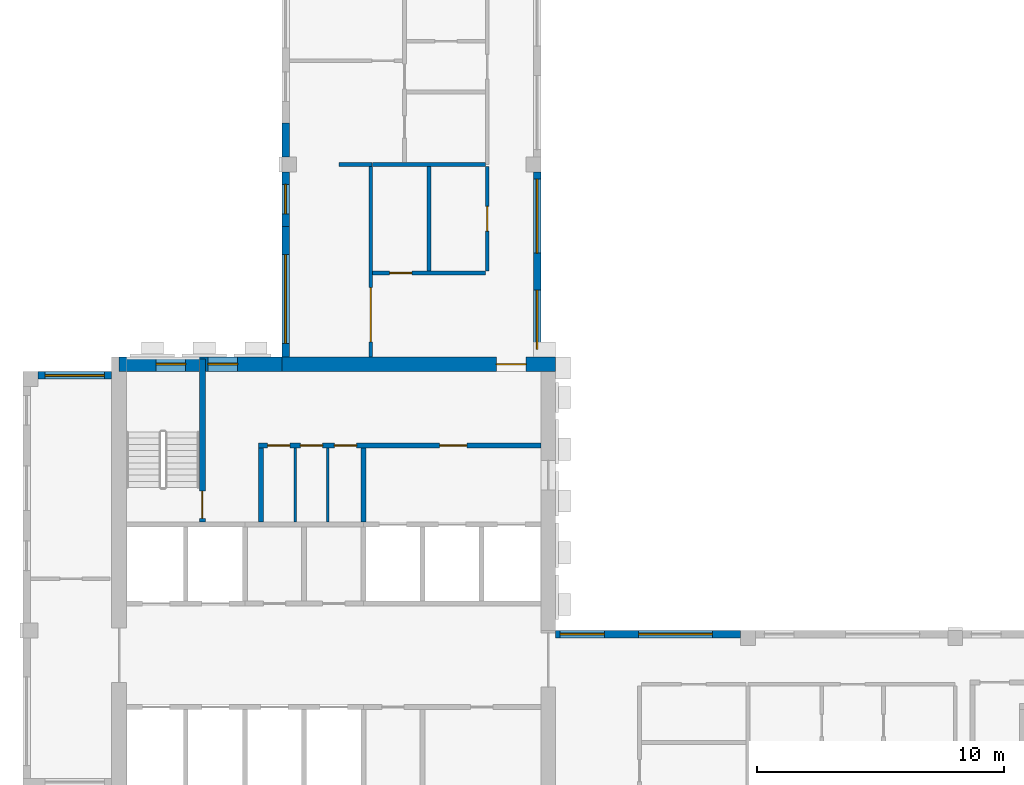
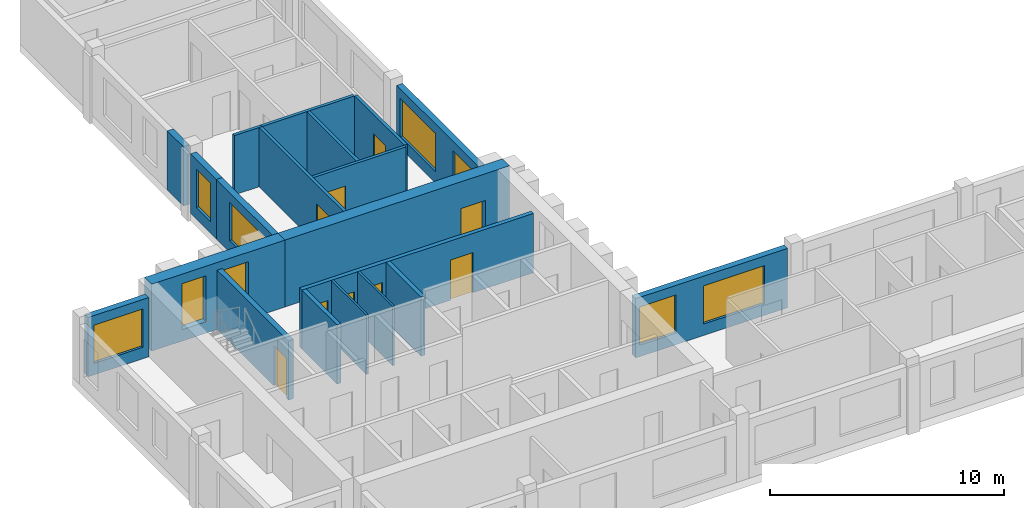
# One storey, part 3 of 10: 20 walls, 9 doors, 9 windows, 18 openings.
"""IFC4 building model written with IfcOpenShell, lengths in metres."""

import ifcopenshell
import ifcopenshell.guid

model = None  # the IFC model being written
_history = None  # IfcOwnerHistory: only IFC2X3 demands one
_inside = {}  # id of a spatial element -> (the spatial element, [elements in it])
_under = {}  # id of a project, library or spatial element -> (it, [spatial elements below it])
_declared = {}  # id of a project -> (the project, [libraries it declares])
_typed = {}  # id of a type object -> (the type object, [elements of that type])
_made_of = {}  # id of a material, layer set ... -> (it, [elements and type objects made of it])


def new_model(schema):
    """Start an empty IFC model of exactly this schema.

    Asked for "IFC4X3", IfcOpenShell would pick the latest addendum, in which some entities
    have other attributes; the version numbers below select the first issue.
    IFC2X3 requires an IfcOwnerHistory on every rooted entity: one is made here for all.
    """
    global model, _history
    if schema == "IFC4X3":
        model = ifcopenshell.file(schema_version=(4, 3, 0, 0))
    else:
        model = ifcopenshell.file(schema=schema)
    _inside.clear()
    _under.clear()
    _declared.clear()
    _typed.clear()
    _made_of.clear()
    _history = None
    if model.schema == "IFC2X3":
        org = make("IfcOrganization", Name="unknown")
        user = make(
            "IfcPersonAndOrganization",
            ThePerson=make("IfcPerson", FamilyName="unknown"),
            TheOrganization=org,
        )
        app = make(
            "IfcApplication",
            ApplicationDeveloper=org,
            Version="unknown",
            ApplicationFullName="unknown",
            ApplicationIdentifier="unknown",
        )
        _history = make(
            "IfcOwnerHistory",
            OwningUser=user,
            OwningApplication=app,
            ChangeAction="ADDED",
            CreationDate=0,
        )
    return model


def make(cls, **values):
    """One entity of the class cls with the attributes given. An attribute that is None is left unset."""
    return model.create_entity(
        cls, **{name: value for name, value in values.items() if value is not None}
    )


def rooted(cls, **values):
    """An entity with a GlobalId (a new one), such as an element, a storey or a relation."""
    return make(cls, GlobalId=ifcopenshell.guid.new(), OwnerHistory=_history, **values)


def si_unit(unit_type, name, prefix=None):
    """IfcSIUnit, for example si_unit("LENGTHUNIT", "METRE", prefix="MILLI")."""
    return make("IfcSIUnit", UnitType=unit_type, Prefix=prefix, Name=name)


def assignment(units):
    """IfcUnitAssignment: the units of a project."""
    return None if units is None else make("IfcUnitAssignment", Units=units)


def point(xyz):
    """IfcCartesianPoint."""
    return None if xyz is None else make("IfcCartesianPoint", Coordinates=xyz)


def direction(xyz):
    """IfcDirection."""
    return None if xyz is None else make("IfcDirection", DirectionRatios=xyz)


def frame(location, z_axis=None, x_axis=None):
    """IfcAxis2Placement3D, a coordinate frame: its origin and axes. An axis left out is left unset."""
    return make(
        "IfcAxis2Placement3D",
        Location=point(location),
        Axis=direction(z_axis),
        RefDirection=direction(x_axis),
    )


def frame_2d(location, x_axis=None):
    """IfcAxis2Placement2D, a coordinate frame in the plane: its origin and x axis."""
    return make(
        "IfcAxis2Placement2D", Location=point(location), RefDirection=direction(x_axis)
    )


def origin():
    """The frame at (0, 0, 0) with its axes left unset."""
    return frame((0.0, 0.0, 0.0))


def place(relative_to, where):
    """IfcLocalPlacement: puts the frame where relative to a parent placement (None: the world)."""
    return make(
        "IfcLocalPlacement", PlacementRelTo=relative_to, RelativePlacement=where
    )


def context(
    kind, dimensions, precision=None, world=None, true_north=None, identifier=None
):
    """IfcGeometricRepresentationContext, for example the 3D "Model" context."""
    return make(
        "IfcGeometricRepresentationContext",
        ContextIdentifier=identifier,
        ContextType=kind,
        CoordinateSpaceDimension=dimensions,
        Precision=precision,
        WorldCoordinateSystem=world,
        TrueNorth=true_north,
    )


def subcontext(parent, identifier, kind, view, scale=None):
    """IfcGeometricRepresentationSubContext, for example "Body" below "Model"."""
    return make(
        "IfcGeometricRepresentationSubContext",
        ContextIdentifier=identifier,
        ContextType=kind,
        ParentContext=parent,
        TargetScale=scale,
        TargetView=view,
    )


def project(units=None, contexts=None):
    """IfcProject with its units and contexts."""
    return rooted(
        "IfcProject",
        Name="project",
        RepresentationContexts=contexts,
        UnitsInContext=assignment(units),
    )


def spatial(cls, under=None, at=None, **own):
    """A site, building, storey or space (cls), placed at a placement, below another one or the project."""
    s = rooted(cls, ObjectPlacement=at, **own)
    if under is not None:
        _under.setdefault(under.id(), (under, []))[1].append(s)
    return s


def profile(cls, at=None, kind="AREA", **sizes):
    """A parametric profile (cls). Its sizes go by their IFC names, for example OverallWidth=200.0."""
    return make(cls, ProfileType=kind, Position=at, **sizes)


def rectangle(**sizes):
    """IfcRectangleProfileDef."""
    return profile("IfcRectangleProfileDef", **sizes)


def extrude(swept, where, along, depth):
    """IfcExtrudedAreaSolid: the profile swept, set in the frame where, extruded along a direction by depth."""
    return make(
        "IfcExtrudedAreaSolid",
        SweptArea=swept,
        Position=where,
        ExtrudedDirection=direction(along),
        Depth=depth,
    )


def shape(context_of_items, identifier, shape_type, items):
    """IfcShapeRepresentation: the items that make up one representation, for example the "Body"."""
    return make(
        "IfcShapeRepresentation",
        ContextOfItems=context_of_items,
        RepresentationIdentifier=identifier,
        RepresentationType=shape_type,
        Items=items,
    )


def source(mapping_origin, context_of_items, identifier, shape_type, items):
    """IfcRepresentationMap: a shape defined once, which mapped items show again and again."""
    return make(
        "IfcRepresentationMap",
        MappingOrigin=mapping_origin,
        MappedRepresentation=shape(context_of_items, identifier, shape_type, items),
    )


def transform(
    local_origin,
    x_axis=None,
    y_axis=None,
    z_axis=None,
    scale=None,
    scale2=None,
    scale3=None,
    uniform=True,
):
    """IfcCartesianTransformationOperator3D, or its non-uniform kind. x_axis, y_axis, z_axis: its Axis1, 2, 3."""
    if uniform:
        return make(
            "IfcCartesianTransformationOperator3D",
            Axis1=direction(x_axis),
            Axis2=direction(y_axis),
            LocalOrigin=point(local_origin),
            Scale=scale,
            Axis3=direction(z_axis),
        )
    return make(
        "IfcCartesianTransformationOperator3DnonUniform",
        Axis1=direction(x_axis),
        Axis2=direction(y_axis),
        LocalOrigin=point(local_origin),
        Scale=scale,
        Axis3=direction(z_axis),
        Scale2=scale2,
        Scale3=scale3,
    )


def mapped(mapping_source, mapping_target):
    """IfcMappedItem: shows the shape of a source again, moved by a transform."""
    return make(
        "IfcMappedItem", MappingSource=mapping_source, MappingTarget=mapping_target
    )


def material(Name=None, Category=None):
    """IfcMaterial."""
    return make("IfcMaterial", Name=Name, Category=Category)


def layer(
    of_material, thickness, ventilated=None, Name=None, Category=None, Priority=None
):
    """IfcMaterialLayer: one layer of a wall or slab, of a material (None: an air gap)."""
    return make(
        "IfcMaterialLayer",
        Material=of_material,
        LayerThickness=thickness,
        IsVentilated=ventilated,
        Name=Name,
        Category=Category,
        Priority=Priority,
    )


def layer_set(layers, Name=None):
    """IfcMaterialLayerSet."""
    return make("IfcMaterialLayerSet", MaterialLayers=layers, LayerSetName=Name)


def made_of(thing, what):
    """Note that an element or type object is made of a material, layer set ...; save() writes the relation."""
    if what is not None:
        _made_of.setdefault(what.id(), (what, []))[1].append(thing)
    return thing


def type_object(cls, material=None, **own):
    """A type object (cls), such as IfcWallType, which elements share."""
    return made_of(rooted(cls, **own), material)


def element(
    cls,
    number,
    at=None,
    inside=None,
    cuts=None,
    type_object=None,
    material=None,
    context=None,
    identifier="Body",
    shape_type=None,
    held_by="IfcProductDefinitionShape",
    body=None,
    shapes=None,
    **own,
):
    """One element of the class cls, such as IfcWall. Its Tag is "e" and its number.

    at: its placement. inside: the storey or other place that contains it. cuts: it is an
    opening in that element (IfcRelVoidsElement). A single representation is given by context,
    identifier, shape_type and body (its items); several are given by shapes. held_by: the class
    of the entity that holds the representations. save() writes the other relations.
    """
    e = rooted(cls, Tag="e%d" % number, ObjectPlacement=at, **own)
    if body is not None:
        shapes = [shape(context, identifier, shape_type, body)]
    if shapes is not None:
        e.Representation = make(held_by, Representations=shapes)
    if inside is not None:
        _inside.setdefault(inside.id(), (inside, []))[1].append(e)
    if cuts is not None:
        rooted(
            "IfcRelVoidsElement", RelatingBuildingElement=cuts, RelatedOpeningElement=e
        )
    if type_object is not None:
        _typed.setdefault(type_object.id(), (type_object, []))[1].append(e)
    return made_of(e, material)


def fill(opening, filler):
    """IfcRelFillsElement: the door or window that sits in an opening."""
    return rooted(
        "IfcRelFillsElement",
        RelatingOpeningElement=opening,
        RelatedBuildingElement=filler,
    )


def aggregate(whole, parts):
    """IfcRelAggregates: a whole, such as a stair, and the parts it consists of."""
    return rooted("IfcRelAggregates", RelatingObject=whole, RelatedObjects=parts)


def save(model, path):
    """Write the relations noted so far, then the file.

    IfcRelAggregates (storeys below a building ...), IfcRelContainedInSpatialStructure (elements
    in a storey), IfcRelDefinesByType, IfcRelAssociatesMaterial and IfcRelDeclares: one each for
    every whole, place, type object, material and project.
    """
    for whole, parts in _under.values():
        aggregate(whole, parts)
    for where, things in _inside.values():
        rooted(
            "IfcRelContainedInSpatialStructure",
            RelatedElements=things,
            RelatingStructure=where,
        )
    for kind, things in _typed.values():
        rooted("IfcRelDefinesByType", RelatedObjects=things, RelatingType=kind)
    for what, things in _made_of.values():
        rooted("IfcRelAssociatesMaterial", RelatedObjects=things, RelatingMaterial=what)
    for by, libraries in _declared.values():
        rooted("IfcRelDeclares", RelatingContext=by, RelatedDefinitions=libraries)
    model.write(path)


model = new_model("IFC4")

# Units and contexts
model_context = context("Model", 3, precision=1e-05, world=origin(), true_north=direction((0.0, 1.0)))
body_context = subcontext(model_context, "Body", "Model", "MODEL_VIEW")
ifc_project = project(units=[si_unit("LENGTHUNIT", "METRE"), si_unit("AREAUNIT", "SQUARE_METRE"), si_unit("VOLUMEUNIT", "CUBIC_METRE"), si_unit("PLANEANGLEUNIT", "RADIAN"), si_unit("MASSUNIT", "GRAM", prefix="KILO")], contexts=[model_context])

# Site, building, storey
site_placement = place(None, origin())
site = spatial("IfcSite", under=ifc_project, at=site_placement, CompositionType="ELEMENT")
building_placement = place(site_placement, origin())
building = spatial("IfcBuilding", under=site, at=building_placement, Name="Aurelian Terraces", CompositionType="ELEMENT")
storey_placement = place(building_placement, frame((0.0, 0.0, 358.0)))
storey = spatial("IfcBuildingStorey", under=building, at=storey_placement, Name="L85", CompositionType="ELEMENT", Elevation=358.0)

# Wall, opening, door
ifc_material_1 = material(Name="Concrete fc' 55 MPa", Category="concrete")
ifc_layer_1 = layer(ifc_material_1, 0.6)
ifc_layer_set_1 = layer_set([ifc_layer_1], Name="CORE WALL 600 FC55")
wall_type_1 = type_object("IfcWallType", Name="CORE WALL 600 FC55", PredefinedType="SHEAR", material=ifc_layer_set_1)
shared_shape_1 = source(origin(), body_context, "Body", "SweptSolid", [
    extrude(rectangle(XDim=11.1, YDim=0.6, at=frame_2d((5.55, 0.0))), origin(), (0.0, 0.0, 1.0), 3.5),
])
wall_1_placement = place(storey_placement, frame((10.5, 21.3, 0.0), z_axis=(0.0, 0.0, 1.0), x_axis=(1.0, 0.0, 0.0)))
wall_1 = element("IfcWall", 1, at=wall_1_placement, inside=storey, type_object=wall_type_1, Name="Core wall N L85", PredefinedType="SHEAR", context=body_context, shape_type="MappedRepresentation", body=[
    mapped(shared_shape_1, transform((0.0, 0.0, 0.0), scale=1.0)),
])
shared_shape_2 = source(origin(), body_context, "Body", "SweptSolid", [
    extrude(rectangle(XDim=1.2, YDim=2.1, at=frame_2d((0.6, 1.05))), frame((0.0, 0.31, 0.0), z_axis=(0.0, -1.0, 0.0), x_axis=(1.0, 0.0, 0.0)), (0.0, 0.0, 1.0), 0.62),
])
opening_1_placement = place(wall_1_placement, frame((8.7, 0.0, 0.0)))
opening_1 = element("IfcOpeningElement", 2, at=opening_1_placement, cuts=wall_1, Name="Opening 68826", PredefinedType="OPENING", context=body_context, shape_type="MappedRepresentation", body=[
    mapped(shared_shape_2, transform((0.0, 0.0, 0.0), scale=1.0)),
])
ifc_material_2 = material(Name="Steel door leaf", Category="steel")
door_type_1 = type_object("IfcDoorType", Name="Core fire door 1200x2100", OperationType="SINGLE_SWING_LEFT", PredefinedType="DOOR", material=ifc_material_2)
shared_shape_3 = source(origin(), body_context, "Body", "SweptSolid", [
    extrude(rectangle(XDim=1.2, YDim=2.1, at=frame_2d((0.6, 1.05))), frame((0.0, 0.025, 0.0), z_axis=(0.0, -1.0, 0.0), x_axis=(1.0, 0.0, 0.0)), (0.0, 0.0, 1.0), 0.05),
])
door_1_placement = place(opening_1_placement, origin())
door_1 = element("IfcDoor", 3, at=door_1_placement, inside=storey, type_object=door_type_1, Name="Core door 68826", OperationType="SINGLE_SWING_LEFT", OverallHeight=2.1, OverallWidth=1.2, PredefinedType="DOOR", context=body_context, shape_type="MappedRepresentation", body=[
    mapped(shared_shape_3, transform((0.0, 0.0, 0.0), scale=1.0)),
])
fill(opening_1, door_1)

# Wall, openings, windows
shared_shape_4 = source(origin(), body_context, "Body", "SweptSolid", [
    extrude(rectangle(XDim=6.6, YDim=0.6, at=frame_2d((3.3, 0.0))), origin(), (0.0, 0.0, 1.0), 3.5),
])
wall_2_placement = place(storey_placement, frame((3.9, 21.3, 0.0), z_axis=(0.0, 0.0, 1.0), x_axis=(1.0, 0.0, 0.0)))
wall_2 = element("IfcWall", 4, at=wall_2_placement, inside=storey, type_object=wall_type_1, Name="Core wall N L85 exposed", PredefinedType="SHEAR", context=body_context, shape_type="MappedRepresentation", body=[
    mapped(shared_shape_4, transform((0.0, 0.0, 0.0), scale=1.0)),
])
shared_shape_5 = source(origin(), body_context, "Body", "SweptSolid", [
    extrude(rectangle(XDim=1.2, YDim=2.4, at=frame_2d((0.6, 1.2))), frame((0.0, 0.31, 0.0), z_axis=(0.0, -1.0, 0.0), x_axis=(1.0, 0.0, 0.0)), (0.0, 0.0, 1.0), 0.62),
])
opening_2_placement = place(wall_2_placement, frame((1.5, 0.0, 0.6)))
opening_2 = element("IfcOpeningElement", 5, at=opening_2_placement, cuts=wall_2, Name="Opening W-CL", PredefinedType="OPENING", context=body_context, shape_type="MappedRepresentation", body=[
    mapped(shared_shape_5, transform((0.0, 0.0, 0.0), scale=1.0)),
])
opening_3_placement = place(wall_2_placement, frame((3.6, 0.0, 0.6)))
opening_3 = element("IfcOpeningElement", 6, at=opening_3_placement, cuts=wall_2, Name="Opening W-CL", PredefinedType="OPENING", context=body_context, shape_type="MappedRepresentation", body=[
    mapped(shared_shape_5, transform((0.0, 0.0, 0.0), scale=1.0)),
])
ifc_material_3 = material(Name="Fire-resisting glazing", Category="glass")
window_type_1 = type_object("IfcWindowType", Name="Core lobby window 1200x2400", PartitioningType="SINGLE_PANEL", PredefinedType="WINDOW", material=ifc_material_3)
shared_shape_6 = source(origin(), body_context, "Body", "SweptSolid", [
    extrude(rectangle(XDim=1.2, YDim=2.4, at=frame_2d((0.6, 1.2))), frame((0.0, 0.03, 0.0), z_axis=(0.0, -1.0, 0.0), x_axis=(1.0, 0.0, 0.0)), (0.0, 0.0, 1.0), 0.06),
])
window_1_placement = place(opening_2_placement, origin())
window_1 = element("IfcWindow", 7, at=window_1_placement, inside=storey, type_object=window_type_1, Name="Lobby window L85 N65", OverallHeight=2.4, OverallWidth=1.2, PartitioningType="SINGLE_PANEL", PredefinedType="WINDOW", context=body_context, shape_type="MappedRepresentation", body=[
    mapped(shared_shape_6, transform((0.0, 0.0, 0.0), scale=1.0)),
])
fill(opening_2, window_1)
window_2_placement = place(opening_3_placement, origin())
window_2 = element("IfcWindow", 8, at=window_2_placement, inside=storey, type_object=window_type_1, Name="Lobby window L85 N66", OverallHeight=2.4, OverallWidth=1.2, PartitioningType="SINGLE_PANEL", PredefinedType="WINDOW", context=body_context, shape_type="MappedRepresentation", body=[
    mapped(shared_shape_6, transform((0.0, 0.0, 0.0), scale=1.0)),
])
fill(opening_3, window_2)

# Wall, opening, window
ifc_material_4 = material(Name="Terracotta rainscreen cladding", Category="masonry")
ifc_layer_2 = layer(ifc_material_4, 0.3)
ifc_layer_set_2 = layer_set([ifc_layer_2], Name="EW-300")
wall_type_2 = type_object("IfcWallType", Name="EW-300", PredefinedType="STANDARD", material=ifc_layer_set_2)
shared_shape_7 = source(origin(), body_context, "Body", "SweptSolid", [
    extrude(rectangle(XDim=5.28, YDim=0.3, at=frame_2d((2.64, 0.0))), origin(), (0.0, 0.0, 1.0), 3.1),
])
wall_3_placement = place(storey_placement, frame((10.65, 26.88, 0.0), z_axis=(0.0, 0.0, 1.0), x_axis=(0.0, -1.0, 0.0)))
wall_3 = element("IfcWall", 9, at=wall_3_placement, inside=storey, type_object=wall_type_2, Name="External wall L85 F06.16", PredefinedType="STANDARD", context=body_context, shape_type="MappedRepresentation", body=[
    mapped(shared_shape_7, transform((0.0, 0.0, 0.0), scale=1.0)),
])
shared_shape_8 = source(origin(), body_context, "Body", "SweptSolid", [
    extrude(rectangle(XDim=3.6, YDim=2.0, at=frame_2d((1.8, 1.0))), frame((0.0, 0.16, 0.0), z_axis=(0.0, -1.0, 0.0), x_axis=(1.0, 0.0, 0.0)), (0.0, 0.0, 1.0), 0.32),
])
opening_4_placement = place(wall_3_placement, frame((1.14, 0.0, 0.6)))
opening_4 = element("IfcOpeningElement", 10, at=opening_4_placement, cuts=wall_3, Name="Opening W3620", PredefinedType="OPENING", context=body_context, shape_type="MappedRepresentation", body=[
    mapped(shared_shape_8, transform((0.0, 0.0, 0.0), scale=1.0)),
])
ifc_material_5 = material(Name="Clear glazing", Category="glass")
window_type_2 = type_object("IfcWindowType", Name="W-3600x2000", PartitioningType="SINGLE_PANEL", PredefinedType="WINDOW", material=ifc_material_5)
shared_shape_9 = source(origin(), body_context, "Body", "SweptSolid", [
    extrude(rectangle(XDim=3.6, YDim=2.0, at=frame_2d((1.8, 1.0))), frame((0.0, 0.03, 0.0), z_axis=(0.0, -1.0, 0.0), x_axis=(1.0, 0.0, 0.0)), (0.0, 0.0, 1.0), 0.06),
])
window_3_placement = place(opening_4_placement, origin())
window_3 = element("IfcWindow", 11, at=window_3_placement, inside=storey, type_object=window_type_2, Name="Window L85 L85-F06-16-0", OverallHeight=2.0, OverallWidth=3.6, PartitioningType="SINGLE_PANEL", PredefinedType="WINDOW", context=body_context, shape_type="MappedRepresentation", body=[
    mapped(shared_shape_9, transform((0.0, 0.0, 0.0), scale=1.0)),
])
fill(opening_4, window_3)

# Wall, openings, windows
shared_shape_10 = source(origin(), body_context, "Body", "SweptSolid", [
    extrude(rectangle(XDim=7.5, YDim=0.3, at=frame_2d((3.75, 0.0))), origin(), (0.0, 0.0, 1.0), 3.1),
])
wall_4_placement = place(storey_placement, frame((29.1, 10.35, 0.0), z_axis=(0.0, 0.0, 1.0), x_axis=(-1.0, 0.0, 0.0)))
wall_4 = element("IfcWall", 12, at=wall_4_placement, inside=storey, type_object=wall_type_2, Name="External wall L85 F03.8", PredefinedType="STANDARD", context=body_context, shape_type="MappedRepresentation", body=[
    mapped(shared_shape_10, transform((0.0, 0.0, 0.0), scale=1.0)),
])
shared_shape_11 = source(origin(), body_context, "Body", "SweptSolid", [
    extrude(rectangle(XDim=3.0, YDim=2.0, at=frame_2d((1.5, 1.0))), frame((0.0, 0.16, 0.0), z_axis=(0.0, -1.0, 0.0), x_axis=(1.0, 0.0, 0.0)), (0.0, 0.0, 1.0), 0.32),
])
opening_5_placement = place(wall_4_placement, frame((1.14, 0.0, 0.6)))
opening_5 = element("IfcOpeningElement", 13, at=opening_5_placement, cuts=wall_4, Name="Opening W3020", PredefinedType="OPENING", context=body_context, shape_type="MappedRepresentation", body=[
    mapped(shared_shape_11, transform((0.0, 0.0, 0.0), scale=1.0)),
])
shared_shape_12 = source(origin(), body_context, "Body", "SweptSolid", [
    extrude(rectangle(XDim=1.8, YDim=2.0, at=frame_2d((0.9, 1.0))), frame((0.0, 0.16, 0.0), z_axis=(0.0, -1.0, 0.0), x_axis=(1.0, 0.0, 0.0)), (0.0, 0.0, 1.0), 0.32),
])
opening_6_placement = place(wall_4_placement, frame((5.52, 0.0, 0.6)))
opening_6 = element("IfcOpeningElement", 14, at=opening_6_placement, cuts=wall_4, Name="Opening W1820", PredefinedType="OPENING", context=body_context, shape_type="MappedRepresentation", body=[
    mapped(shared_shape_12, transform((0.0, 0.0, 0.0), scale=1.0)),
])
window_type_3 = type_object("IfcWindowType", Name="W-3000x2000", PartitioningType="SINGLE_PANEL", PredefinedType="WINDOW", material=ifc_material_5)
shared_shape_13 = source(origin(), body_context, "Body", "SweptSolid", [
    extrude(rectangle(XDim=3.0, YDim=2.0, at=frame_2d((1.5, 1.0))), frame((0.0, 0.03, 0.0), z_axis=(0.0, -1.0, 0.0), x_axis=(1.0, 0.0, 0.0)), (0.0, 0.0, 1.0), 0.06),
])
window_4_placement = place(opening_5_placement, origin())
window_4 = element("IfcWindow", 15, at=window_4_placement, inside=storey, type_object=window_type_3, Name="Window L85 L85-F03-08-5", OverallHeight=2.0, OverallWidth=3.0, PartitioningType="SINGLE_PANEL", PredefinedType="WINDOW", context=body_context, shape_type="MappedRepresentation", body=[
    mapped(shared_shape_13, transform((0.0, 0.0, 0.0), scale=1.0)),
])
fill(opening_5, window_4)
window_type_4 = type_object("IfcWindowType", Name="W-1800x2000", PartitioningType="SINGLE_PANEL", PredefinedType="WINDOW", material=ifc_material_5)
shared_shape_14 = source(origin(), body_context, "Body", "SweptSolid", [
    extrude(rectangle(XDim=1.8, YDim=2.0, at=frame_2d((0.9, 1.0))), frame((0.0, 0.03, 0.0), z_axis=(0.0, -1.0, 0.0), x_axis=(1.0, 0.0, 0.0)), (0.0, 0.0, 1.0), 0.06),
])
window_5_placement = place(opening_6_placement, origin())
window_5 = element("IfcWindow", 16, at=window_5_placement, inside=storey, type_object=window_type_4, Name="Window L85 L85-F03-08-6", OverallHeight=2.0, OverallWidth=1.8, PartitioningType="SINGLE_PANEL", PredefinedType="WINDOW", context=body_context, shape_type="MappedRepresentation", body=[
    mapped(shared_shape_14, transform((0.0, 0.0, 0.0), scale=1.0)),
])
fill(opening_6, window_5)

wall_5_placement = place(storey_placement, frame((20.85, 21.6, 0.0), z_axis=(0.0, 0.0, 1.0), x_axis=(0.0, 1.0, 0.0)))
wall_5 = element("IfcWall", 17, at=wall_5_placement, inside=storey, type_object=wall_type_2, Name="External wall L85 F04.10", PredefinedType="STANDARD", context=body_context, shape_type="MappedRepresentation", body=[
    mapped(shared_shape_10, transform((0.0, 0.0, 0.0), scale=1.0)),
])
shared_shape_15 = source(origin(), body_context, "Body", "SweptSolid", [
    extrude(rectangle(XDim=2.4, YDim=2.0, at=frame_2d((1.2, 1.0))), frame((0.0, 0.16, 0.0), z_axis=(0.0, -1.0, 0.0), x_axis=(1.0, 0.0, 0.0)), (0.0, 0.0, 1.0), 0.32),
])
opening_7_placement = place(wall_5_placement, frame((0.3, 0.0, 0.6)))
opening_7 = element("IfcOpeningElement", 18, at=opening_7_placement, cuts=wall_5, Name="Opening W2420", PredefinedType="OPENING", context=body_context, shape_type="MappedRepresentation", body=[
    mapped(shared_shape_15, transform((0.0, 0.0, 0.0), scale=1.0)),
])
opening_8_placement = place(wall_5_placement, frame((4.2, 0.0, 0.6)))
opening_8 = element("IfcOpeningElement", 19, at=opening_8_placement, cuts=wall_5, Name="Opening W3020", PredefinedType="OPENING", context=body_context, shape_type="MappedRepresentation", body=[
    mapped(shared_shape_11, transform((0.0, 0.0, 0.0), scale=1.0)),
])
window_6_placement = place(opening_8_placement, origin())
window_6 = element("IfcWindow", 20, at=window_6_placement, inside=storey, type_object=window_type_3, Name="Window L85 L85-F04-10-1", OverallHeight=2.0, OverallWidth=3.0, PartitioningType="SINGLE_PANEL", PredefinedType="WINDOW", context=body_context, shape_type="MappedRepresentation", body=[
    mapped(shared_shape_13, transform((0.0, 0.0, 0.0), scale=1.0)),
])
fill(opening_8, window_6)
window_type_5 = type_object("IfcWindowType", Name="W-2400x2000", PartitioningType="SINGLE_PANEL", PredefinedType="WINDOW", material=ifc_material_5)
shared_shape_16 = source(origin(), body_context, "Body", "SweptSolid", [
    extrude(rectangle(XDim=2.4, YDim=2.0, at=frame_2d((1.2, 1.0))), frame((0.0, 0.03, 0.0), z_axis=(0.0, -1.0, 0.0), x_axis=(1.0, 0.0, 0.0)), (0.0, 0.0, 1.0), 0.06),
])
window_7_placement = place(opening_7_placement, origin())
window_7 = element("IfcWindow", 21, at=window_7_placement, inside=storey, type_object=window_type_5, Name="Window L85 L85-F04-10-0", OverallHeight=2.0, OverallWidth=2.4, PartitioningType="SINGLE_PANEL", PredefinedType="WINDOW", context=body_context, shape_type="MappedRepresentation", body=[
    mapped(shared_shape_16, transform((0.0, 0.0, 0.0), scale=1.0)),
])
fill(opening_7, window_7)

# Wall, opening, window
shared_shape_17 = source(origin(), body_context, "Body", "SweptSolid", [
    extrude(rectangle(XDim=3.0, YDim=0.3, at=frame_2d((1.5, 0.0))), origin(), (0.0, 0.0, 1.0), 3.1),
])
wall_6_placement = place(storey_placement, frame((3.6, 20.85, 0.0), z_axis=(0.0, 0.0, 1.0), x_axis=(-1.0, 0.0, 0.0)))
wall_6 = element("IfcWall", 22, at=wall_6_placement, inside=storey, type_object=wall_type_2, Name="External wall L85 F11.21", PredefinedType="STANDARD", context=body_context, shape_type="MappedRepresentation", body=[
    mapped(shared_shape_17, transform((0.0, 0.0, 0.0), scale=1.0)),
])
opening_9_placement = place(wall_6_placement, frame((0.3, 0.0, 0.6)))
opening_9 = element("IfcOpeningElement", 23, at=opening_9_placement, cuts=wall_6, Name="Opening W2420", PredefinedType="OPENING", context=body_context, shape_type="MappedRepresentation", body=[
    mapped(shared_shape_15, transform((0.0, 0.0, 0.0), scale=1.0)),
])
window_8_placement = place(opening_9_placement, origin())
window_8 = element("IfcWindow", 24, at=window_8_placement, inside=storey, type_object=window_type_5, Name="Window L85 L85-F11-21-0", OverallHeight=2.0, OverallWidth=2.4, PartitioningType="SINGLE_PANEL", PredefinedType="WINDOW", context=body_context, shape_type="MappedRepresentation", body=[
    mapped(shared_shape_16, transform((0.0, 0.0, 0.0), scale=1.0)),
])
fill(opening_9, window_8)

# Wall
shared_shape_18 = source(origin(), body_context, "Body", "SweptSolid", [
    extrude(rectangle(XDim=1.38, YDim=0.3, at=frame_2d((0.69, 0.0))), origin(), (0.0, 0.0, 1.0), 3.1),
])
wall_7_placement = place(storey_placement, frame((10.65, 31.08, 0.0), z_axis=(0.0, 0.0, 1.0), x_axis=(0.0, -1.0, 0.0)))
element("IfcWall", 25, at=wall_7_placement, inside=storey, type_object=wall_type_2, Name="External wall L85 F06.15", PredefinedType="STANDARD", context=body_context, shape_type="MappedRepresentation", body=[
    mapped(shared_shape_18, transform((0.0, 0.0, 0.0), scale=1.0)),
])

# Wall, opening, window
shared_shape_19 = source(origin(), body_context, "Body", "SweptSolid", [
    extrude(rectangle(XDim=2.22, YDim=0.3, at=frame_2d((1.11, 0.0))), origin(), (0.0, 0.0, 1.0), 3.1),
])
wall_8_placement = place(storey_placement, frame((10.65, 29.1, 0.0), z_axis=(0.0, 0.0, 1.0), x_axis=(0.0, -1.0, 0.0)))
wall_8 = element("IfcWall", 26, at=wall_8_placement, inside=storey, type_object=wall_type_2, Name="External wall L85 F06.15", PredefinedType="STANDARD", context=body_context, shape_type="MappedRepresentation", body=[
    mapped(shared_shape_19, transform((0.0, 0.0, 0.0), scale=1.0)),
])
shared_shape_20 = source(origin(), body_context, "Body", "SweptSolid", [
    extrude(rectangle(XDim=1.2, YDim=2.0, at=frame_2d((0.6, 1.0))), frame((0.0, 0.16, 0.0), z_axis=(0.0, -1.0, 0.0), x_axis=(1.0, 0.0, 0.0)), (0.0, 0.0, 1.0), 0.32),
])
opening_10_placement = place(wall_8_placement, frame((0.51, 0.0, 0.6)))
opening_10 = element("IfcOpeningElement", 27, at=opening_10_placement, cuts=wall_8, Name="Opening W1220", PredefinedType="OPENING", context=body_context, shape_type="MappedRepresentation", body=[
    mapped(shared_shape_20, transform((0.0, 0.0, 0.0), scale=1.0)),
])
window_type_6 = type_object("IfcWindowType", Name="W-1200x2000", PartitioningType="SINGLE_PANEL", PredefinedType="WINDOW", material=ifc_material_5)
shared_shape_21 = source(origin(), body_context, "Body", "SweptSolid", [
    extrude(rectangle(XDim=1.2, YDim=2.0, at=frame_2d((0.6, 1.0))), frame((0.0, 0.03, 0.0), z_axis=(0.0, -1.0, 0.0), x_axis=(1.0, 0.0, 0.0)), (0.0, 0.0, 1.0), 0.06),
])
window_9_placement = place(opening_10_placement, origin())
window_9 = element("IfcWindow", 28, at=window_9_placement, inside=storey, type_object=window_type_6, Name="Window L85 L85-F06-15-P1", OverallHeight=2.0, OverallWidth=1.2, PartitioningType="SINGLE_PANEL", PredefinedType="WINDOW", context=body_context, shape_type="MappedRepresentation", body=[
    mapped(shared_shape_21, transform((0.0, 0.0, 0.0), scale=1.0)),
])
fill(opening_10, window_9)

# Walls
ifc_material_6 = material(Name="Gypsum board on steel studs", Category="steel")
ifc_layer_3 = layer(ifc_material_6, 0.2)
ifc_layer_set_3 = layer_set([ifc_layer_3], Name="Core partition 200")
wall_type_3 = type_object("IfcWallType", Name="Core partition 200", PredefinedType="PARTITIONING", material=ifc_layer_set_3)
shared_shape_22 = source(origin(), body_context, "Body", "SweptSolid", [
    extrude(rectangle(XDim=3.0, YDim=0.2, at=frame_2d((1.5, 0.0))), origin(), (0.0, 0.0, 1.0), 3.1),
])
for number, where, z_axis, x_axis, name in (
    (29, (9.65, 14.9, 0.0), (0.0, 0.0, 1.0), (0.0, 1.0, 0.0), "L85 core wall CP-VEST"),
    (30, (13.8, 14.9, 0.0), (0.0, 0.0, 1.0), (0.0, 1.0, 0.0), "L85 core wall CP-FFL"),
):
    element("IfcWall", number, at=place(storey_placement, frame(where, z_axis=z_axis, x_axis=x_axis)), inside=storey, type_object=wall_type_3, Name=name, PredefinedType="PARTITIONING", context=body_context, shape_type="MappedRepresentation", body=[
        mapped(shared_shape_22, transform((0.0, 0.0, 0.0), scale=1.0)),
    ])

# Wall, opening, door
ifc_material_7 = material(Name="Concrete fc' 40 MPa", Category="concrete")
ifc_layer_4 = layer(ifc_material_7, 0.25)
ifc_layer_set_4 = layer_set([ifc_layer_4], Name="Stair enclosure wall 250")
wall_type_4 = type_object("IfcWallType", Name="Stair enclosure wall 250", PredefinedType="SOLIDWALL", material=ifc_layer_set_4)
shared_shape_23 = source(origin(), body_context, "Body", "SweptSolid", [
    extrude(rectangle(XDim=6.6, YDim=0.25, at=frame_2d((3.3, 0.0))), origin(), (0.0, 0.0, 1.0), 3.1),
])
wall_9_placement = place(storey_placement, frame((7.275, 14.9, 0.0), z_axis=(0.0, 0.0, 1.0), x_axis=(0.0, 1.0, 0.0)))
wall_9 = element("IfcWall", 31, at=wall_9_placement, inside=storey, type_object=wall_type_4, Name="L85 core wall ST-S1-E", PredefinedType="SOLIDWALL", context=body_context, shape_type="MappedRepresentation", body=[
    mapped(shared_shape_23, transform((0.0, 0.0, 0.0), scale=1.0)),
])
shared_shape_24 = source(origin(), body_context, "Body", "SweptSolid", [
    extrude(rectangle(XDim=1.1, YDim=2.1, at=frame_2d((0.55, 1.05))), frame((0.0, 0.135, 0.0), z_axis=(0.0, -1.0, 0.0), x_axis=(1.0, 0.0, 0.0)), (0.0, 0.0, 1.0), 0.27),
])
opening_11_placement = place(wall_9_placement, frame((0.15, 0.0, 0.0)))
opening_11 = element("IfcOpeningElement", 32, at=opening_11_placement, cuts=wall_9, Name="Opening 68813", PredefinedType="OPENING", context=body_context, shape_type="MappedRepresentation", body=[
    mapped(shared_shape_24, transform((0.0, 0.0, 0.0), scale=1.0)),
])
door_type_2 = type_object("IfcDoorType", Name="Core fire door 1100x2100 right", OperationType="SINGLE_SWING_RIGHT", PredefinedType="DOOR", material=ifc_material_2)
shared_shape_25 = source(origin(), body_context, "Body", "SweptSolid", [
    extrude(rectangle(XDim=1.1, YDim=2.1, at=frame_2d((0.55, 1.05))), frame((0.0, 0.025, 0.0), z_axis=(0.0, -1.0, 0.0), x_axis=(1.0, 0.0, 0.0)), (0.0, 0.0, 1.0), 0.05),
])
door_2_placement = place(opening_11_placement, origin())
door_2 = element("IfcDoor", 33, at=door_2_placement, inside=storey, type_object=door_type_2, Name="Stair door 68813", OperationType="SINGLE_SWING_RIGHT", OverallHeight=2.1, OverallWidth=1.1, PredefinedType="DOOR", context=body_context, shape_type="MappedRepresentation", body=[
    mapped(shared_shape_25, transform((0.0, 0.0, 0.0), scale=1.0)),
])
fill(opening_11, door_2)

# Wall, openings, doors
shared_shape_26 = source(origin(), body_context, "Body", "SweptSolid", [
    extrude(rectangle(XDim=11.45, YDim=0.2, at=frame_2d((5.725, 0.0))), origin(), (0.0, 0.0, 1.0), 3.1),
])
wall_10_placement = place(storey_placement, frame((9.55, 18.0, 0.0), z_axis=(0.0, 0.0, 1.0), x_axis=(1.0, 0.0, 0.0)))
wall_10 = element("IfcWall", 34, at=wall_10_placement, inside=storey, type_object=wall_type_3, Name="L85 core wall CP-NORTH", PredefinedType="PARTITIONING", context=body_context, shape_type="MappedRepresentation", body=[
    mapped(shared_shape_26, transform((0.0, 0.0, 0.0), scale=1.0)),
])
shared_shape_27 = source(origin(), body_context, "Body", "SweptSolid", [
    extrude(rectangle(XDim=0.9, YDim=2.1, at=frame_2d((0.45, 1.05))), frame((0.0, 0.11, 0.0), z_axis=(0.0, -1.0, 0.0), x_axis=(1.0, 0.0, 0.0)), (0.0, 0.0, 1.0), 0.22),
])
opening_12_placement = place(wall_10_placement, frame((0.375, 0.0, 0.0)))
opening_12 = element("IfcOpeningElement", 35, at=opening_12_placement, cuts=wall_10, Name="Opening 68814", PredefinedType="OPENING", context=body_context, shape_type="MappedRepresentation", body=[
    mapped(shared_shape_27, transform((0.0, 0.0, 0.0), scale=1.0)),
])
opening_13_placement = place(wall_10_placement, frame((1.7, 0.0, 0.0)))
opening_13 = element("IfcOpeningElement", 36, at=opening_13_placement, cuts=wall_10, Name="Opening 68815", PredefinedType="OPENING", context=body_context, shape_type="MappedRepresentation", body=[
    mapped(shared_shape_27, transform((0.0, 0.0, 0.0), scale=1.0)),
])
opening_14_placement = place(wall_10_placement, frame((3.075, 0.0, 0.0)))
opening_14 = element("IfcOpeningElement", 37, at=opening_14_placement, cuts=wall_10, Name="Opening 68816", PredefinedType="OPENING", context=body_context, shape_type="MappedRepresentation", body=[
    mapped(shared_shape_27, transform((0.0, 0.0, 0.0), scale=1.0)),
])
shared_shape_28 = source(origin(), body_context, "Body", "SweptSolid", [
    extrude(rectangle(XDim=1.1, YDim=2.1, at=frame_2d((0.55, 1.05))), frame((0.0, 0.11, 0.0), z_axis=(0.0, -1.0, 0.0), x_axis=(1.0, 0.0, 0.0)), (0.0, 0.0, 1.0), 0.22),
])
opening_15_placement = place(wall_10_placement, frame((7.35, 0.0, 0.0)))
opening_15 = element("IfcOpeningElement", 38, at=opening_15_placement, cuts=wall_10, Name="Opening 68817", PredefinedType="OPENING", context=body_context, shape_type="MappedRepresentation", body=[
    mapped(shared_shape_28, transform((0.0, 0.0, 0.0), scale=1.0)),
])
door_type_3 = type_object("IfcDoorType", Name="Core riser door 900x2100", OperationType="SINGLE_SWING_LEFT", PredefinedType="DOOR", material=ifc_material_2)
shared_shape_29 = source(origin(), body_context, "Body", "SweptSolid", [
    extrude(rectangle(XDim=0.9, YDim=2.1, at=frame_2d((0.45, 1.05))), frame((0.0, 0.025, 0.0), z_axis=(0.0, -1.0, 0.0), x_axis=(1.0, 0.0, 0.0)), (0.0, 0.0, 1.0), 0.05),
])
door_3_placement = place(opening_12_placement, origin())
door_3 = element("IfcDoor", 39, at=door_3_placement, inside=storey, type_object=door_type_3, Name="Room door 68814", OperationType="SINGLE_SWING_LEFT", OverallHeight=2.1, OverallWidth=0.9, PredefinedType="DOOR", context=body_context, shape_type="MappedRepresentation", body=[
    mapped(shared_shape_29, transform((0.0, 0.0, 0.0), scale=1.0)),
])
fill(opening_12, door_3)
door_type_4 = type_object("IfcDoorType", Name="Core service door 900x2100 right", OperationType="SINGLE_SWING_RIGHT", PredefinedType="DOOR", material=ifc_material_2)
door_4_placement = place(opening_13_placement, origin())
door_4 = element("IfcDoor", 40, at=door_4_placement, inside=storey, type_object=door_type_4, Name="Room door 68815", OperationType="SINGLE_SWING_RIGHT", OverallHeight=2.1, OverallWidth=0.9, PredefinedType="DOOR", context=body_context, shape_type="MappedRepresentation", body=[
    mapped(shared_shape_29, transform((0.0, 0.0, 0.0), scale=1.0)),
])
fill(opening_13, door_4)
door_type_5 = type_object("IfcDoorType", Name="Core service door 900x2100", OperationType="SINGLE_SWING_LEFT", PredefinedType="DOOR", material=ifc_material_2)
door_5_placement = place(opening_14_placement, origin())
door_5 = element("IfcDoor", 41, at=door_5_placement, inside=storey, type_object=door_type_5, Name="Room door 68816", OperationType="SINGLE_SWING_LEFT", OverallHeight=2.1, OverallWidth=0.9, PredefinedType="DOOR", context=body_context, shape_type="MappedRepresentation", body=[
    mapped(shared_shape_29, transform((0.0, 0.0, 0.0), scale=1.0)),
])
fill(opening_14, door_5)
door_6_placement = place(opening_15_placement, origin())
door_6 = element("IfcDoor", 42, at=door_6_placement, inside=storey, type_object=door_type_2, Name="Ff lobby door 68817", OperationType="SINGLE_SWING_RIGHT", OverallHeight=2.1, OverallWidth=1.1, PredefinedType="DOOR", context=body_context, shape_type="MappedRepresentation", body=[
    mapped(shared_shape_25, transform((0.0, 0.0, 0.0), scale=1.0)),
])
fill(opening_15, door_6)

# Walls
ifc_layer_5 = layer(ifc_material_6, 0.1)
ifc_layer_set_5 = layer_set([ifc_layer_5], Name="Core partition 100")
wall_type_5 = type_object("IfcWallType", Name="Core partition 100", PredefinedType="PARTITIONING", material=ifc_layer_set_5)
shared_shape_30 = source(origin(), body_context, "Body", "SweptSolid", [
    extrude(rectangle(XDim=3.0, YDim=0.1, at=frame_2d((1.5, 0.0))), origin(), (0.0, 0.0, 1.0), 3.1),
])
for number, where, z_axis, x_axis, name in (
    (43, (11.05, 14.9, 0.0), (0.0, 0.0, 1.0), (0.0, 1.0, 0.0), "L85 core wall CP-SV1"),
    (44, (12.35, 14.9, 0.0), (0.0, 0.0, 1.0), (0.0, 1.0, 0.0), "L85 core wall CP-SV2"),
):
    element("IfcWall", number, at=place(storey_placement, frame(where, z_axis=z_axis, x_axis=x_axis)), inside=storey, type_object=wall_type_5, Name=name, PredefinedType="PARTITIONING", context=body_context, shape_type="MappedRepresentation", body=[
        mapped(shared_shape_30, transform((0.0, 0.0, 0.0), scale=1.0)),
    ])

# Wall, opening, door
ifc_layer_6 = layer(ifc_material_6, 0.15)
ifc_layer_set_6 = layer_set([ifc_layer_6], Name="Partition 150")
wall_type_6 = type_object("IfcWallType", Name="Partition 150", PredefinedType="PARTITIONING", material=ifc_layer_set_6)
shared_shape_31 = source(origin(), body_context, "Body", "SweptSolid", [
    extrude(rectangle(XDim=4.575, YDim=0.15, at=frame_2d((2.2875, 0.0))), origin(), (0.0, 0.0, 1.0), 3.1),
])
wall_11_placement = place(storey_placement, frame((14.175, 25.0, 0.0), z_axis=(0.0, 0.0, 1.0), x_axis=(1.0, 0.0, 0.0)))
wall_11 = element("IfcWall", 45, at=wall_11_placement, inside=storey, type_object=wall_type_6, Name="Partition", PredefinedType="PARTITIONING", context=body_context, shape_type="MappedRepresentation", body=[
    mapped(shared_shape_31, transform((0.0, 0.0, 0.0), scale=1.0)),
])
shared_shape_32 = source(origin(), body_context, "Body", "SweptSolid", [
    extrude(rectangle(XDim=0.9, YDim=2.1, at=frame_2d((0.45, 1.05))), frame((0.0, 0.085, 0.0), z_axis=(0.0, -1.0, 0.0), x_axis=(1.0, 0.0, 0.0)), (0.0, 0.0, 1.0), 0.17),
])
opening_16_placement = place(wall_11_placement, frame((0.694, 0.0, 0.0)))
opening_16 = element("IfcOpeningElement", 46, at=opening_16_placement, cuts=wall_11, Name="Opening 785013", PredefinedType="OPENING", context=body_context, shape_type="MappedRepresentation", body=[
    mapped(shared_shape_32, transform((0.0, 0.0, 0.0), scale=1.0)),
])
ifc_material_8 = material(Name="Timber door leaf", Category="wood")
door_type_6 = type_object("IfcDoorType", Name="Room door 900x2100 left", OperationType="SINGLE_SWING_LEFT", PredefinedType="DOOR", material=ifc_material_8)
door_7_placement = place(opening_16_placement, origin())
door_7 = element("IfcDoor", 47, at=door_7_placement, inside=storey, type_object=door_type_6, Name="Door 785013", OperationType="SINGLE_SWING_LEFT", OverallHeight=2.1, OverallWidth=0.9, PredefinedType="DOOR", context=body_context, shape_type="MappedRepresentation", body=[
    mapped(shared_shape_29, transform((0.0, 0.0, 0.0), scale=1.0)),
])
fill(opening_16, door_7)

# Wall
wall_12_placement = place(storey_placement, frame((18.75, 29.4, 0.0), z_axis=(0.0, 0.0, 1.0), x_axis=(-1.0, 0.0, 0.0)))
element("IfcWall", 48, at=wall_12_placement, inside=storey, type_object=wall_type_6, Name="Partition", PredefinedType="PARTITIONING", context=body_context, shape_type="MappedRepresentation", body=[
    mapped(shared_shape_31, transform((0.0, 0.0, 0.0), scale=1.0)),
])

# Wall, opening, door
shared_shape_33 = source(origin(), body_context, "Body", "SweptSolid", [
    extrude(rectangle(XDim=7.725, YDim=0.15, at=frame_2d((3.8625, 0.0))), origin(), (0.0, 0.0, 1.0), 3.1),
])
wall_13_placement = place(storey_placement, frame((14.1, 29.325, 0.0), z_axis=(0.0, 0.0, 1.0), x_axis=(0.0, -1.0, 0.0)))
wall_13 = element("IfcWall", 49, at=wall_13_placement, inside=storey, type_object=wall_type_6, Name="Partition", PredefinedType="PARTITIONING", context=body_context, shape_type="MappedRepresentation", body=[
    mapped(shared_shape_33, transform((0.0, 0.0, 0.0), scale=1.0)),
])
shared_shape_34 = source(origin(), body_context, "Body", "SweptSolid", [
    extrude(rectangle(XDim=2.2, YDim=2.1, at=frame_2d((1.1, 1.05))), frame((0.0, 0.085, 0.0), z_axis=(0.0, -1.0, 0.0), x_axis=(1.0, 0.0, 0.0)), (0.0, 0.0, 1.0), 0.17),
])
opening_17_placement = place(wall_13_placement, frame((4.925, 0.0, 0.0)))
opening_17 = element("IfcOpeningElement", 50, at=opening_17_placement, cuts=wall_13, Name="Opening 785015", PredefinedType="OPENING", context=body_context, shape_type="MappedRepresentation", body=[
    mapped(shared_shape_34, transform((0.0, 0.0, 0.0), scale=1.0)),
])
door_type_7 = type_object("IfcDoorType", Name="Double room door 2200x2100", OperationType="DOUBLE_DOOR_SINGLE_SWING", PredefinedType="DOOR", material=ifc_material_8)
shared_shape_35 = source(origin(), body_context, "Body", "SweptSolid", [
    extrude(rectangle(XDim=2.2, YDim=2.1, at=frame_2d((1.1, 1.05))), frame((0.0, 0.025, 0.0), z_axis=(0.0, -1.0, 0.0), x_axis=(1.0, 0.0, 0.0)), (0.0, 0.0, 1.0), 0.05),
])
door_8_placement = place(opening_17_placement, origin())
door_8 = element("IfcDoor", 51, at=door_8_placement, inside=storey, type_object=door_type_7, Name="Door 785015", OperationType="DOUBLE_DOOR_SINGLE_SWING", OverallHeight=2.1, OverallWidth=2.2, PredefinedType="DOOR", context=body_context, shape_type="MappedRepresentation", body=[
    mapped(shared_shape_35, transform((0.0, 0.0, 0.0), scale=1.0)),
])
fill(opening_17, door_8)

# Wall
ifc_layer_7 = layer(ifc_material_6, 0.15)
ifc_layer_set_7 = layer_set([ifc_layer_7], Name="Fire partition 150")
wall_type_7 = type_object("IfcWallType", Name="Fire partition 150", PredefinedType="PARTITIONING", material=ifc_layer_set_7)
shared_shape_36 = source(origin(), body_context, "Body", "SweptSolid", [
    extrude(rectangle(XDim=1.35, YDim=0.15, at=frame_2d((0.675, 0.0))), origin(), (0.0, 0.0, 1.0), 3.1),
])
wall_14_placement = place(storey_placement, frame((14.155, 29.4, 0.0), z_axis=(0.0, 0.0, 1.0), x_axis=(-1.0, 0.0, 0.0)))
element("IfcWall", 52, at=wall_14_placement, inside=storey, type_object=wall_type_7, Name="Party wall", PredefinedType="PARTITIONING", context=body_context, shape_type="MappedRepresentation", body=[
    mapped(shared_shape_36, transform((0.0, 0.0, 0.0), scale=1.0)),
])

# Wall, opening, door
shared_shape_37 = source(origin(), body_context, "Body", "SweptSolid", [
    extrude(rectangle(XDim=4.25, YDim=0.15, at=frame_2d((2.125, 0.0))), origin(), (0.0, 0.0, 1.0), 3.1),
])
wall_15_placement = place(storey_placement, frame((18.825, 25.075, 0.0), z_axis=(0.0, 0.0, 1.0), x_axis=(0.0, 1.0, 0.0)))
wall_15 = element("IfcWall", 53, at=wall_15_placement, inside=storey, type_object=wall_type_7, Name="Corridor wall", PredefinedType="PARTITIONING", context=body_context, shape_type="MappedRepresentation", body=[
    mapped(shared_shape_37, transform((0.0, 0.0, 0.0), scale=1.0)),
])
shared_shape_38 = source(origin(), body_context, "Body", "SweptSolid", [
    extrude(rectangle(XDim=1.0, YDim=2.1, at=frame_2d((0.5, 1.05))), frame((0.0, 0.085, 0.0), z_axis=(0.0, -1.0, 0.0), x_axis=(1.0, 0.0, 0.0)), (0.0, 0.0, 1.0), 0.17),
])
opening_18_placement = place(wall_15_placement, frame((1.625, 0.0, 0.0)))
opening_18 = element("IfcOpeningElement", 54, at=opening_18_placement, cuts=wall_15, Name="Opening 785012", PredefinedType="OPENING", context=body_context, shape_type="MappedRepresentation", body=[
    mapped(shared_shape_38, transform((0.0, 0.0, 0.0), scale=1.0)),
])
door_type_8 = type_object("IfcDoorType", Name="Entrance fire door 1000x2100 right", OperationType="SINGLE_SWING_RIGHT", PredefinedType="DOOR", material=ifc_material_2)
shared_shape_39 = source(origin(), body_context, "Body", "SweptSolid", [
    extrude(rectangle(XDim=1.0, YDim=2.1, at=frame_2d((0.5, 1.05))), frame((0.0, 0.025, 0.0), z_axis=(0.0, -1.0, 0.0), x_axis=(1.0, 0.0, 0.0)), (0.0, 0.0, 1.0), 0.05),
])
door_9_placement = place(opening_18_placement, origin())
door_9 = element("IfcDoor", 55, at=door_9_placement, inside=storey, type_object=door_type_8, Name="Door 785012", OperationType="SINGLE_SWING_RIGHT", OverallHeight=2.1, OverallWidth=1.0, PredefinedType="DOOR", context=body_context, shape_type="MappedRepresentation", body=[
    mapped(shared_shape_39, transform((0.0, 0.0, 0.0), scale=1.0)),
])
fill(opening_18, door_9)

# Wall
wall_16_placement = place(storey_placement, frame((16.463, 25.075, 0.0), z_axis=(0.0, 0.0, 1.0), x_axis=(0.0, 1.0, 0.0)))
element("IfcWall", 56, at=wall_16_placement, inside=storey, type_object=wall_type_6, Name="Partition", PredefinedType="PARTITIONING", context=body_context, shape_type="MappedRepresentation", body=[
    mapped(shared_shape_37, transform((0.0, 0.0, 0.0), scale=1.0)),
])

save(model, "model.ifc")
